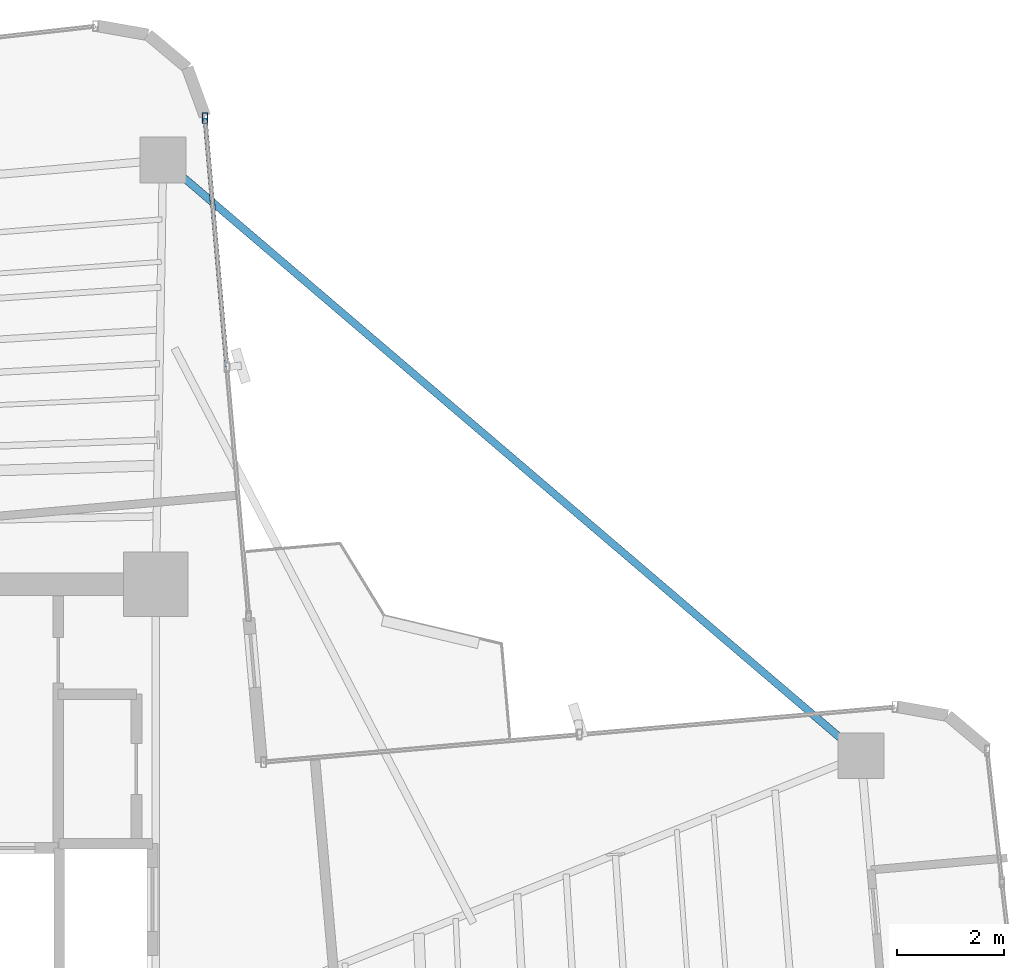
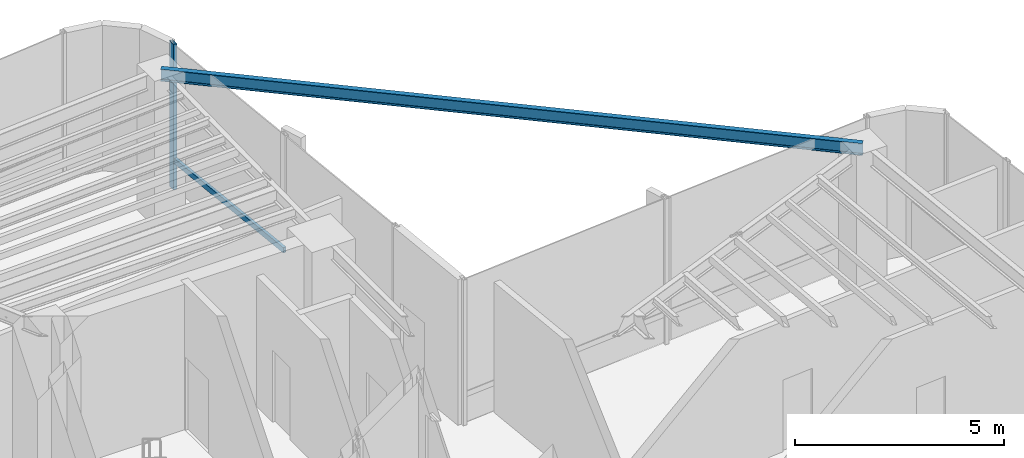
# One storey, part 11 of 19: 2 members, 1 beam, 1 element without a shape of its own.
"""IFC4 building model written with IfcOpenShell, lengths in metres."""

from ifc_helpers import new_model, si_unit, direction, frame, origin, origin_2d, place, context, subcontext, project, spatial, hollow_rectangle, i_section, extrude, source, transform, mapped, material, material_profile, profile_set, type_object, element, aggregate, save


model = new_model("IFC4")

# Units and contexts
model_context = context("Model", 3, precision=1e-05, world=origin(), true_north=direction((0.0, 1.0)))
body_context = subcontext(model_context, "Body", "Model", "MODEL_VIEW")
ifc_project = project(units=[si_unit("LENGTHUNIT", "METRE"), si_unit("AREAUNIT", "SQUARE_METRE"), si_unit("VOLUMEUNIT", "CUBIC_METRE"), si_unit("PLANEANGLEUNIT", "RADIAN"), si_unit("MASSUNIT", "GRAM", prefix="KILO")], contexts=[model_context])

# Site, building, storey
site_placement = place(None, origin())
site = spatial("IfcSite", under=ifc_project, at=site_placement, CompositionType="ELEMENT")
building_placement = place(site_placement, origin())
building = spatial("IfcBuilding", under=site, at=building_placement, Name="Sahyath Konkavel Grand Hotel", CompositionType="ELEMENT")
storey_placement = place(building_placement, frame((0.0, 0.0, 142.75)))
storey = spatial("IfcBuildingStorey", under=building, at=storey_placement, Name="L39", CompositionType="ELEMENT", Elevation=142.75)

# Beam
ifc_material_1 = material(Name="Steel E350", Category="steel")
ifc_material_profile_1 = material_profile(ifc_material_1, i_section(OverallWidth=0.139892578125, OverallDepth=0.35009765625, WebThickness=0.008056640625, FlangeThickness=0.01416015625, FilletRadius=0.013916015625, at=origin_2d()), Name="ISMB 350")
ifc_profile_set_1 = profile_set([ifc_material_profile_1], Name="Steel E350")
beam_type = type_object("IfcBeamType", Name="BM-ISMB350", PredefinedType="BEAM", material=ifc_profile_set_1)
shared_shape_1 = source(origin(), body_context, "Body", "SweptSolid", [
    extrude(i_section(OverallWidth=0.139892578125, OverallDepth=0.35009765625, WebThickness=0.008056640625, FlangeThickness=0.01416015625, FilletRadius=0.013916015625, at=origin_2d()), origin(), (0.0, 0.0, 1.0), 17.11279296875),
])
beam_placement = place(storey_placement, frame((16.9541015625, 7.00439453125, 4.0849609375), z_axis=(-0.760711911164, 0.649089661151, 0.0), x_axis=(-0.649089661151, -0.760711911164, 0.0)))
element("IfcBeam", 1, at=beam_placement, inside=storey, type_object=beam_type, Name="L39 Re-Entrant Tie Beam NE", PredefinedType="BEAM", context=body_context, shape_type="MappedRepresentation", body=[
    mapped(shared_shape_1, transform((0.0, 0.0, 0.0), scale=1.0)),
])

# Curtain wall, members
ifc_material_2 = material(Name="Anodised Bronze Aluminium & Low-E Glazing", Category="aluminium")
curtain_wall_type = type_object("IfcCurtainWallType", Name="CW-SKYLOBBY", PredefinedType="NOTDEFINED", material=ifc_material_2)
curtain_wall_placement = place(storey_placement, origin())
curtain_wall = element("IfcCurtainWall", 2, at=curtain_wall_placement, inside=storey, type_object=curtain_wall_type, Name="L39 Unitised Curtain Wall F8", PredefinedType="NOTDEFINED")
ifc_material_3 = material(Name="Anodised Bronze Aluminium", Category="aluminium")
ifc_material_profile_2 = material_profile(ifc_material_3, hollow_rectangle(XDim=0.10009765625, YDim=0.199951171875, WallThickness=0.008056640625, at=origin_2d()), Name="RHS 200x100x8")
ifc_profile_set_2 = profile_set([ifc_material_profile_2], Name="Anodised Bronze Aluminium")
member_type_1 = type_object("IfcMemberType", Name="CW-MUL-200", PredefinedType="MULLION", material=ifc_profile_set_2)
shared_shape_2 = source(origin(), body_context, "Body", "SweptSolid", [
    extrude(hollow_rectangle(XDim=0.10009765625, YDim=0.199951171875, WallThickness=0.008056640625, at=origin_2d()), origin(), (0.0, 0.0, 1.0), 4.260009765625),
])
member_1_placement = place(storey_placement, frame((4.72119140625, 18.893310546875, 0.0), z_axis=(0.0, 0.0, 1.0), x_axis=(1.0, 0.0, 0.0)))
member_1 = element("IfcMember", 3, at=member_1_placement, type_object=member_type_1, Name="L39 Curtain Wall Mullion F8-2", PredefinedType="MULLION", context=body_context, shape_type="MappedRepresentation", body=[
    mapped(shared_shape_2, transform((0.0, 0.0, 0.0), scale=1.0)),
])
ifc_material_profile_3 = material_profile(ifc_material_3, hollow_rectangle(XDim=0.080078125, YDim=0.159912109375, WallThickness=0.006103515625, at=origin_2d()), Name="RHS 160x80x6")
ifc_profile_set_3 = profile_set([ifc_material_profile_3], Name="Anodised Bronze Aluminium")
member_type_2 = type_object("IfcMemberType", Name="CW-TRN-160", PredefinedType="USERDEFINED", material=ifc_profile_set_3)
shared_shape_3 = source(origin(), body_context, "Body", "SweptSolid", [
    extrude(hollow_rectangle(XDim=0.080078125, YDim=0.159912109375, WallThickness=0.006103515625, at=origin_2d()), origin(), (0.0, 0.0, 1.0), 4.659912109375),
])
member_2_placement = place(storey_placement, frame((5.12744140625, 14.251220703125, 0.85009765625), z_axis=(-0.087181248758, 0.996192466276, 0.0), x_axis=(-0.996192466276, -0.087181248758, 0.0)))
member_2 = element("IfcMember", 4, at=member_2_placement, type_object=member_type_2, Name="L39 Curtain Wall Transom F8-1-spandrel", ObjectType="TRANSOM", PredefinedType="USERDEFINED", context=body_context, shape_type="MappedRepresentation", body=[
    mapped(shared_shape_3, transform((0.0, 0.0, 0.0), scale=1.0)),
])
aggregate(curtain_wall, [member_1, member_2])

save(model, "model.ifc")
